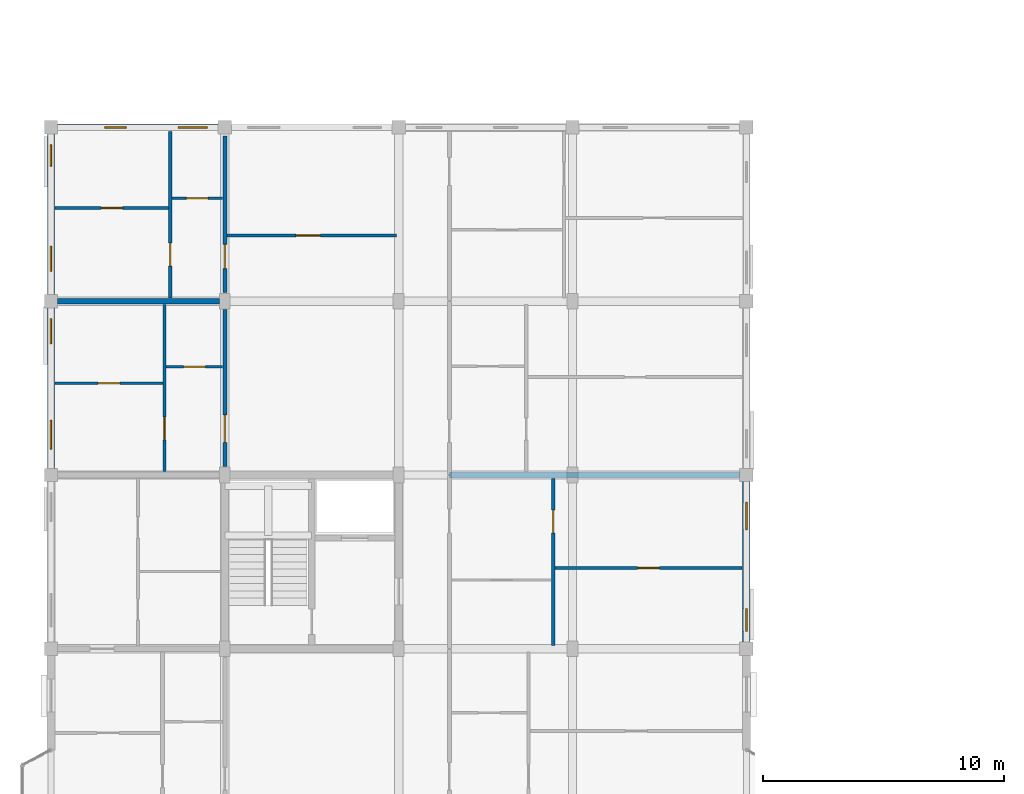
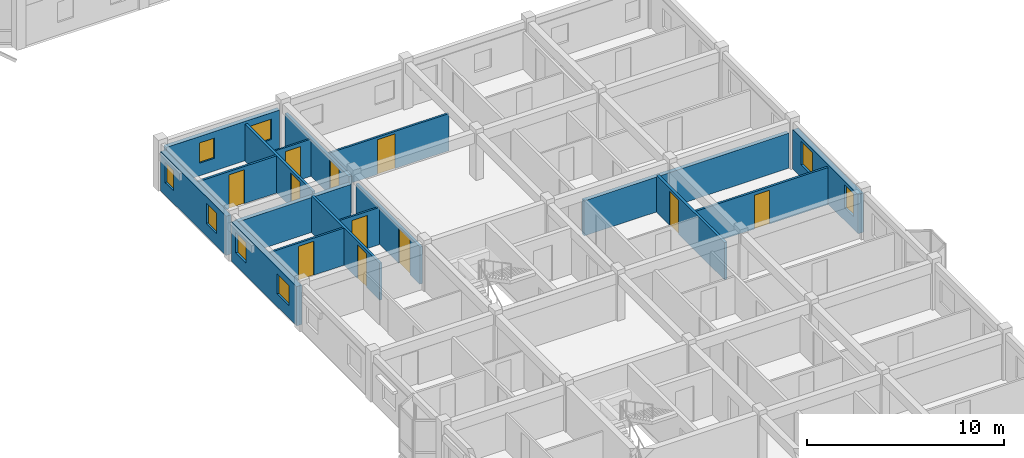
# One storey, part 53 of 77: 17 walls, 11 doors, 8 windows, 19 openings.
"""IFC4 building model written with IfcOpenShell, lengths in metres."""

from ifc_helpers import new_model, si_unit, direction, frame, frame_2d, origin, place, context, subcontext, project, spatial, rectangle, extrude, material, layer, layer_set, type_object, element, fill, save


model = new_model("IFC4")

# Units and contexts
model_context = context("Model", 3, precision=1e-05, world=origin(), true_north=direction((0.0, 1.0)))
body_context = subcontext(model_context, "Body", "Model", "MODEL_VIEW")
ifc_project = project(units=[si_unit("LENGTHUNIT", "METRE"), si_unit("AREAUNIT", "SQUARE_METRE"), si_unit("VOLUMEUNIT", "CUBIC_METRE"), si_unit("PLANEANGLEUNIT", "RADIAN"), si_unit("MASSUNIT", "GRAM", prefix="KILO"), si_unit("THERMODYNAMICTEMPERATUREUNIT", "KELVIN"), si_unit("POWERUNIT", "WATT")], contexts=[model_context])

# Site, building, storey
site_placement = place(None, origin())
site = spatial("IfcSite", under=ifc_project, at=site_placement, CompositionType="ELEMENT")
building_placement = place(site_placement, origin())
building = spatial("IfcBuilding", under=site, at=building_placement, Name="Tavuni Mirador Residences", CompositionType="ELEMENT")
storey_placement = place(building_placement, frame((0.0, 0.0, 17.10009765625)))
storey = spatial("IfcBuildingStorey", under=building, at=storey_placement, Name="L05", CompositionType="ELEMENT", Elevation=17.10009765625)

# Wall, opening, door
ifc_material_1 = material(Name="Precast concrete C40/50", Category="concrete")
ifc_layer_1 = layer(ifc_material_1, 0.1650390625, Name="Precast concrete C40/50", Category="concrete")
ifc_layer_set_1 = layer_set([ifc_layer_1], Name="Precast concrete C40/50")
wall_type_1 = type_object("IfcWallType", Name="WT-CORR165", PredefinedType="PARTITIONING", material=ifc_layer_set_1)
wall_1_placement = place(storey_placement, frame((10.800048828125, 36.35009765625, 0.0), z_axis=(0.0, 0.0, 1.0), x_axis=(0.0, 1.0, 0.0)))
wall_1 = element("IfcWall", 1, at=wall_1_placement, inside=storey, type_object=wall_type_1, Name="CORW-BLK-A-L05-1-04", PredefinedType="PARTITIONING", context=body_context, shape_type="SweptSolid", body=[
    extrude(rectangle(XDim=6.5, YDim=0.1650390625, at=frame_2d((3.25, 0.0))), origin(), (0.0, 0.0, 1.0), 2.304931640625),
])
opening_1_placement = place(wall_1_placement, frame((1.0, 0.0, 0.0)))
opening_1 = element("IfcOpeningElement", 2, at=opening_1_placement, cuts=wall_1, Name="Opening D-20", PredefinedType="OPENING", context=body_context, shape_type="SweptSolid", body=[
    extrude(rectangle(XDim=1.139892578125, YDim=2.179931640625, at=frame_2d((0.56982421875, 1.08984375))), frame((0.0, 0.092529296875, 0.0), z_axis=(0.0, -1.0, 0.0), x_axis=(1.0, 0.0, 0.0)), (0.0, 0.0, 1.0), 0.18505859375),
])
ifc_material_2 = material(Name="Solid core iroko timber", Category="wood")
door_type_1 = type_object("IfcDoorType", Name="DT-FD60-1140", OperationType="NOTDEFINED", PredefinedType="DOOR", material=ifc_material_2)
door_1_placement = place(opening_1_placement, origin())
door_1 = element("IfcDoor", 3, at=door_1_placement, inside=storey, type_object=door_type_1, Name="DR-2441", OperationType="SINGLE_SWING_RIGHT", OverallHeight=2.179931640625, OverallWidth=1.139892578125, PredefinedType="DOOR", context=body_context, shape_type="SweptSolid", body=[
    extrude(rectangle(XDim=1.139892578125, YDim=2.179931640625, at=frame_2d((0.56982421875, 1.08984375))), frame((0.0, 0.02490234375, 0.0), z_axis=(0.0, -1.0, 0.0), x_axis=(1.0, 0.0, 0.0)), (0.0, 0.0, 1.0), 0.050048828125),
])
fill(opening_1, door_1)

wall_2_placement = place(storey_placement, frame((10.800048828125, 43.550048828125, 0.0), z_axis=(0.0, 0.0, 1.0), x_axis=(0.0, 1.0, 0.0)))
wall_2 = element("IfcWall", 4, at=wall_2_placement, inside=storey, type_object=wall_type_1, Name="CORW-BLK-A-L05-1-05", PredefinedType="PARTITIONING", context=body_context, shape_type="SweptSolid", body=[
    extrude(rectangle(XDim=6.5, YDim=0.1650390625, at=frame_2d((3.25, 0.0))), origin(), (0.0, 0.0, 1.0), 2.304931640625),
])
opening_2_placement = place(wall_2_placement, frame((1.0, 0.0, 0.0)))
opening_2 = element("IfcOpeningElement", 5, at=opening_2_placement, cuts=wall_2, Name="Opening D-03", PredefinedType="OPENING", context=body_context, shape_type="SweptSolid", body=[
    extrude(rectangle(XDim=1.0, YDim=2.14990234375, at=frame_2d((0.5, 1.074951171875))), frame((0.0, 0.092529296875, 0.0), z_axis=(0.0, -1.0, 0.0), x_axis=(1.0, 0.0, 0.0)), (0.0, 0.0, 1.0), 0.18505859375),
])
door_type_2 = type_object("IfcDoorType", Name="DT-FD60-1000", OperationType="NOTDEFINED", PredefinedType="DOOR", material=ifc_material_2)
door_2_placement = place(opening_2_placement, origin())
door_2 = element("IfcDoor", 6, at=door_2_placement, inside=storey, type_object=door_type_2, Name="DR-2442", OperationType="SINGLE_SWING_LEFT", OverallHeight=2.14990234375, OverallWidth=1.0, PredefinedType="DOOR", context=body_context, shape_type="SweptSolid", body=[
    extrude(rectangle(XDim=1.0, YDim=2.14990234375, at=frame_2d((0.5, 1.074951171875))), frame((0.0, 0.02490234375, 0.0), z_axis=(0.0, -1.0, 0.0), x_axis=(1.0, 0.0, 0.0)), (0.0, 0.0, 1.0), 0.050048828125),
])
fill(opening_2, door_2)

# Wall, openings, windows
ifc_material_3 = material(Name="Sgraffito lime-rendered precast concrete C40/50", Category="concrete")
ifc_layer_2 = layer(ifc_material_3, 0.2548828125, Name="Sgraffito lime-rendered precast concrete C40/50", Category="concrete")
ifc_layer_set_2 = layer_set([ifc_layer_2], Name="Sgraffito lime-rendered precast concrete C40/50")
wall_type_2 = type_object("IfcWallType", Name="WT-EXT-PC255", PredefinedType="SOLIDWALL", material=ifc_layer_set_2)
wall_3_placement = place(storey_placement, frame((10.52490234375, 50.39990234375, 0.0), z_axis=(0.0, 0.0, 1.0), x_axis=(-1.0, 0.0, 0.0)))
wall_3 = element("IfcWall", 7, at=wall_3_placement, inside=storey, type_object=wall_type_2, Name="EW-BLK-A-L05-N00", PredefinedType="SOLIDWALL", context=body_context, shape_type="SweptSolid", body=[
    extrude(rectangle(XDim=6.64990234375, YDim=0.2548828125, at=frame_2d((3.324951171875, 0.0))), origin(), (0.0, 0.0, 1.0), 2.43994140625),
])
opening_3_placement = place(wall_3_placement, frame((0.46240234375, 0.0, 0.780029296875)))
opening_3 = element("IfcOpeningElement", 8, at=opening_3_placement, cuts=wall_3, Name="Opening WN-13", PredefinedType="OPENING", context=body_context, shape_type="SweptSolid", body=[
    extrude(rectangle(XDim=1.199951171875, YDim=1.260009765625, at=frame_2d((0.60009765625, 0.6298828125))), frame((0.0, 0.137451171875, 0.0), z_axis=(0.0, -1.0, 0.0), x_axis=(1.0, 0.0, 0.0)), (0.0, 0.0, 1.0), 0.27490234375),
])
opening_4_placement = place(wall_3_placement, frame((3.8076171875, 0.0, 0.780029296875)))
opening_4 = element("IfcOpeningElement", 9, at=opening_4_placement, cuts=wall_3, Name="Opening WN-09", PredefinedType="OPENING", context=body_context, shape_type="SweptSolid", body=[
    extrude(rectangle(XDim=0.8798828125, YDim=1.260009765625, at=frame_2d((0.43994140625, 0.6298828125))), frame((0.0, 0.137451171875, 0.0), z_axis=(0.0, -1.0, 0.0), x_axis=(1.0, 0.0, 0.0)), (0.0, 0.0, 1.0), 0.27490234375),
])
ifc_material_4 = material(Name="Laminated solar-control glass", Category="glass")
window_type_1 = type_object("IfcWindowType", Name="WNT-09", PartitioningType="SINGLE_PANEL", PredefinedType="WINDOW", material=ifc_material_4)
window_1_placement = place(opening_4_placement, origin())
window_1 = element("IfcWindow", 10, at=window_1_placement, inside=storey, type_object=window_type_1, Name="WIN-0212", OverallHeight=1.260009765625, OverallWidth=0.8798828125, PartitioningType="SINGLE_PANEL", PredefinedType="WINDOW", context=body_context, shape_type="SweptSolid", body=[
    extrude(rectangle(XDim=0.8798828125, YDim=1.260009765625, at=frame_2d((0.43994140625, 0.6298828125))), frame((0.0, 0.030029296875, 0.0), z_axis=(0.0, -1.0, 0.0), x_axis=(1.0, 0.0, 0.0)), (0.0, 0.0, 1.0), 0.06005859375),
])
fill(opening_4, window_1)
window_type_2 = type_object("IfcWindowType", Name="WNT-13", PartitioningType="SINGLE_PANEL", PredefinedType="WINDOW", material=ifc_material_4)
window_2_placement = place(opening_3_placement, origin())
window_2 = element("IfcWindow", 11, at=window_2_placement, inside=storey, type_object=window_type_2, Name="WIN-0211", OverallHeight=1.260009765625, OverallWidth=1.199951171875, PartitioningType="SINGLE_PANEL", PredefinedType="WINDOW", context=body_context, shape_type="SweptSolid", body=[
    extrude(rectangle(XDim=1.199951171875, YDim=1.260009765625, at=frame_2d((0.60009765625, 0.6298828125))), frame((0.0, 0.030029296875, 0.0), z_axis=(0.0, -1.0, 0.0), x_axis=(1.0, 0.0, 0.0)), (0.0, 0.0, 1.0), 0.06005859375),
])
fill(opening_3, window_2)

ifc_layer_3 = layer(ifc_material_3, 0.2900390625, Name="Sgraffito lime-rendered precast concrete C40/50", Category="concrete")
ifc_layer_set_3 = layer_set([ifc_layer_3], Name="Sgraffito lime-rendered precast concrete C40/50")
wall_type_3 = type_object("IfcWallType", Name="WT-EXT-PC290", PredefinedType="SOLIDWALL", material=ifc_layer_set_3)
wall_4_placement = place(storey_placement, frame((3.60009765625, 50.125, 0.0), z_axis=(0.0, 0.0, 1.0), x_axis=(0.0, -1.0, 0.0)))
wall_4 = element("IfcWall", 12, at=wall_4_placement, inside=storey, type_object=wall_type_3, Name="EW-BLK-A-L05-W05", PredefinedType="SOLIDWALL", context=body_context, shape_type="SweptSolid", body=[
    extrude(rectangle(XDim=6.64990234375, YDim=0.2900390625, at=frame_2d((3.324951171875, 0.0))), origin(), (0.0, 0.0, 1.0), 2.43994140625),
])
opening_5_placement = place(wall_4_placement, frame((0.449951171875, 0.0, 0.780029296875)))
opening_5 = element("IfcOpeningElement", 13, at=opening_5_placement, cuts=wall_4, Name="Opening WN-09", PredefinedType="OPENING", context=body_context, shape_type="SweptSolid", body=[
    extrude(rectangle(XDim=0.8798828125, YDim=1.260009765625, at=frame_2d((0.43994140625, 0.6298828125))), frame((0.0, 0.155029296875, 0.0), z_axis=(0.0, -1.0, 0.0), x_axis=(1.0, 0.0, 0.0)), (0.0, 0.0, 1.0), 0.31005859375),
])
opening_6_placement = place(wall_4_placement, frame((4.64990234375, 0.0, 0.780029296875)))
opening_6 = element("IfcOpeningElement", 14, at=opening_6_placement, cuts=wall_4, Name="Opening WN-11", PredefinedType="OPENING", context=body_context, shape_type="SweptSolid", body=[
    extrude(rectangle(XDim=1.0400390625, YDim=1.260009765625, at=frame_2d((0.52001953125, 0.6298828125))), frame((0.0, 0.155029296875, 0.0), z_axis=(0.0, -1.0, 0.0), x_axis=(1.0, 0.0, 0.0)), (0.0, 0.0, 1.0), 0.31005859375),
])
window_3_placement = place(opening_5_placement, origin())
window_3 = element("IfcWindow", 15, at=window_3_placement, inside=storey, type_object=window_type_1, Name="WIN-0213", OverallHeight=1.260009765625, OverallWidth=0.8798828125, PartitioningType="SINGLE_PANEL", PredefinedType="WINDOW", context=body_context, shape_type="SweptSolid", body=[
    extrude(rectangle(XDim=0.8798828125, YDim=1.260009765625, at=frame_2d((0.43994140625, 0.6298828125))), frame((0.0, 0.030029296875, 0.0), z_axis=(0.0, -1.0, 0.0), x_axis=(1.0, 0.0, 0.0)), (0.0, 0.0, 1.0), 0.06005859375),
])
fill(opening_5, window_3)
window_type_3 = type_object("IfcWindowType", Name="WNT-11", PartitioningType="SINGLE_PANEL", PredefinedType="WINDOW", material=ifc_material_4)
window_4_placement = place(opening_6_placement, origin())
window_4 = element("IfcWindow", 16, at=window_4_placement, inside=storey, type_object=window_type_3, Name="WIN-0214", OverallHeight=1.260009765625, OverallWidth=1.0400390625, PartitioningType="SINGLE_PANEL", PredefinedType="WINDOW", context=body_context, shape_type="SweptSolid", body=[
    extrude(rectangle(XDim=1.0400390625, YDim=1.260009765625, at=frame_2d((0.52001953125, 0.6298828125))), frame((0.0, 0.030029296875, 0.0), z_axis=(0.0, -1.0, 0.0), x_axis=(1.0, 0.0, 0.0)), (0.0, 0.0, 1.0), 0.06005859375),
])
fill(opening_6, window_4)

ifc_layer_4 = layer(ifc_material_3, 0.304931640625, Name="Sgraffito lime-rendered precast concrete C40/50", Category="concrete")
ifc_layer_set_4 = layer_set([ifc_layer_4], Name="Sgraffito lime-rendered precast concrete C40/50")
wall_type_4 = type_object("IfcWallType", Name="WT-EXT-PC305", PredefinedType="SOLIDWALL", material=ifc_layer_set_4)
wall_5_placement = place(storey_placement, frame((3.60009765625, 42.925048828125, 0.0), z_axis=(0.0, 0.0, 1.0), x_axis=(0.0, -1.0, 0.0)))
wall_5 = element("IfcWall", 17, at=wall_5_placement, inside=storey, type_object=wall_type_4, Name="EW-BLK-A-L05-W04", PredefinedType="SOLIDWALL", context=body_context, shape_type="SweptSolid", body=[
    extrude(rectangle(XDim=6.650146484375, YDim=0.304931640625, at=frame_2d((3.3251953125, 0.0))), origin(), (0.0, 0.0, 1.0), 2.43994140625),
])
opening_7_placement = place(wall_5_placement, frame((0.449951171875, 0.0, 0.780029296875)))
opening_7 = element("IfcOpeningElement", 18, at=opening_7_placement, cuts=wall_5, Name="Opening WN-11", PredefinedType="OPENING", context=body_context, shape_type="SweptSolid", body=[
    extrude(rectangle(XDim=1.0400390625, YDim=1.260009765625, at=frame_2d((0.52001953125, 0.6298828125))), frame((0.0, 0.16259765625, 0.0), z_axis=(0.0, -1.0, 0.0), x_axis=(1.0, 0.0, 0.0)), (0.0, 0.0, 1.0), 0.324951171875),
])
opening_8_placement = place(wall_5_placement, frame((4.64990234375, 0.0, 0.780029296875)))
opening_8 = element("IfcOpeningElement", 19, at=opening_8_placement, cuts=wall_5, Name="Opening WN-13", PredefinedType="OPENING", context=body_context, shape_type="SweptSolid", body=[
    extrude(rectangle(XDim=1.199951171875, YDim=1.260009765625, at=frame_2d((0.60009765625, 0.6298828125))), frame((0.0, 0.16259765625, 0.0), z_axis=(0.0, -1.0, 0.0), x_axis=(1.0, 0.0, 0.0)), (0.0, 0.0, 1.0), 0.324951171875),
])
window_5_placement = place(opening_7_placement, origin())
window_5 = element("IfcWindow", 20, at=window_5_placement, inside=storey, type_object=window_type_3, Name="WIN-0215", OverallHeight=1.260009765625, OverallWidth=1.0400390625, PartitioningType="SINGLE_PANEL", PredefinedType="WINDOW", context=body_context, shape_type="SweptSolid", body=[
    extrude(rectangle(XDim=1.0400390625, YDim=1.260009765625, at=frame_2d((0.52001953125, 0.6298828125))), frame((0.0, 0.030029296875, 0.0), z_axis=(0.0, -1.0, 0.0), x_axis=(1.0, 0.0, 0.0)), (0.0, 0.0, 1.0), 0.06005859375),
])
fill(opening_7, window_5)
window_6_placement = place(opening_8_placement, origin())
window_6 = element("IfcWindow", 21, at=window_6_placement, inside=storey, type_object=window_type_2, Name="WIN-0216", OverallHeight=1.260009765625, OverallWidth=1.199951171875, PartitioningType="SINGLE_PANEL", PredefinedType="WINDOW", context=body_context, shape_type="SweptSolid", body=[
    extrude(rectangle(XDim=1.199951171875, YDim=1.260009765625, at=frame_2d((0.60009765625, 0.6298828125))), frame((0.0, 0.030029296875, 0.0), z_axis=(0.0, -1.0, 0.0), x_axis=(1.0, 0.0, 0.0)), (0.0, 0.0, 1.0), 0.06005859375),
])
fill(opening_8, window_6)

ifc_layer_5 = layer(ifc_material_3, 0.31494140625, Name="Sgraffito lime-rendered precast concrete C40/50", Category="concrete")
ifc_layer_set_5 = layer_set([ifc_layer_5], Name="Sgraffito lime-rendered precast concrete C40/50")
wall_type_5 = type_object("IfcWallType", Name="WT-EXT-PC315", PredefinedType="SOLIDWALL", material=ifc_layer_set_5)
wall_6_placement = place(storey_placement, frame((32.39990234375, 29.074951171875, 0.0), z_axis=(0.0, 0.0, 1.0), x_axis=(0.0, 1.0, 0.0)))
wall_6 = element("IfcWall", 22, at=wall_6_placement, inside=storey, type_object=wall_type_5, Name="EW-BLK-A-L05-E03", PredefinedType="SOLIDWALL", context=body_context, shape_type="SweptSolid", body=[
    extrude(rectangle(XDim=6.650146484375, YDim=0.31494140625, at=frame_2d((3.3251953125, 0.0))), origin(), (0.0, 0.0, 1.0), 2.43994140625),
])
opening_9_placement = place(wall_6_placement, frame((0.449951171875, 0.0, 0.780029296875)))
opening_9 = element("IfcOpeningElement", 23, at=opening_9_placement, cuts=wall_6, Name="Opening WN-25", PredefinedType="OPENING", context=body_context, shape_type="SweptSolid", body=[
    extrude(rectangle(XDim=0.93994140625, YDim=1.43994140625, at=frame_2d((0.469970703125, 0.719970703125))), frame((0.0, 0.16748046875, 0.0), z_axis=(0.0, -1.0, 0.0), x_axis=(1.0, 0.0, 0.0)), (0.0, 0.0, 1.0), 0.3349609375),
])
opening_10_placement = place(wall_6_placement, frame((4.64990234375, 0.0, 0.780029296875)))
opening_10 = element("IfcOpeningElement", 24, at=opening_10_placement, cuts=wall_6, Name="Opening WN-27", PredefinedType="OPENING", context=body_context, shape_type="SweptSolid", body=[
    extrude(rectangle(XDim=1.14990234375, YDim=1.43994140625, at=frame_2d((0.574951171875, 0.719970703125))), frame((0.0, 0.16748046875, 0.0), z_axis=(0.0, -1.0, 0.0), x_axis=(1.0, 0.0, 0.0)), (0.0, 0.0, 1.0), 0.3349609375),
])
window_type_4 = type_object("IfcWindowType", Name="WNT-25", PartitioningType="SINGLE_PANEL", PredefinedType="WINDOW", material=ifc_material_4)
window_7_placement = place(opening_9_placement, origin())
window_7 = element("IfcWindow", 25, at=window_7_placement, inside=storey, type_object=window_type_4, Name="WIN-0199", OverallHeight=1.43994140625, OverallWidth=0.93994140625, PartitioningType="SINGLE_PANEL", PredefinedType="WINDOW", context=body_context, shape_type="SweptSolid", body=[
    extrude(rectangle(XDim=0.93994140625, YDim=1.43994140625, at=frame_2d((0.469970703125, 0.719970703125))), frame((0.0, 0.030029296875, 0.0), z_axis=(0.0, -1.0, 0.0), x_axis=(1.0, 0.0, 0.0)), (0.0, 0.0, 1.0), 0.06005859375),
])
fill(opening_9, window_7)
window_type_5 = type_object("IfcWindowType", Name="WNT-27", PartitioningType="SINGLE_PANEL", PredefinedType="WINDOW", material=ifc_material_4)
window_8_placement = place(opening_10_placement, origin())
window_8 = element("IfcWindow", 26, at=window_8_placement, inside=storey, type_object=window_type_5, Name="WIN-0200", OverallHeight=1.43994140625, OverallWidth=1.14990234375, PartitioningType="SINGLE_PANEL", PredefinedType="WINDOW", context=body_context, shape_type="SweptSolid", body=[
    extrude(rectangle(XDim=1.14990234375, YDim=1.43994140625, at=frame_2d((0.574951171875, 0.719970703125))), frame((0.0, 0.030029296875, 0.0), z_axis=(0.0, -1.0, 0.0), x_axis=(1.0, 0.0, 0.0)), (0.0, 0.0, 1.0), 0.06005859375),
])
fill(opening_10, window_8)

# Wall, opening, door
ifc_material_5 = material(Name="Acoustic gypsum and concrete block partition", Category="concrete")
ifc_layer_6 = layer(ifc_material_5, 0.094970703125, Name="Acoustic gypsum and concrete block partition", Category="concrete")
ifc_layer_set_6 = layer_set([ifc_layer_6], Name="Acoustic gypsum and concrete block partition")
wall_type_6 = type_object("IfcWallType", Name="WT-PART095", PredefinedType="PARTITIONING", material=ifc_layer_set_6)
wall_7_placement = place(storey_placement, frame((8.610107421875, 47.4599609375, 0.0), z_axis=(0.0, 0.0, 1.0), x_axis=(1.0, 0.0, 0.0)))
wall_7 = element("IfcWall", 27, at=wall_7_placement, inside=storey, type_object=wall_type_6, Name="PW-BLK-A-L05-W05-IN1", PredefinedType="PARTITIONING", context=body_context, shape_type="SweptSolid", body=[
    extrude(rectangle(XDim=2.099853515625, YDim=0.094970703125, at=frame_2d((1.0498046875, 0.0))), origin(), (0.0, 0.0, 1.0), 2.304931640625),
])
opening_11_placement = place(wall_7_placement, frame((0.60009765625, 0.0, 0.0)))
opening_11 = element("IfcOpeningElement", 28, at=opening_11_placement, cuts=wall_7, Name="Opening D-09", PredefinedType="OPENING", context=body_context, shape_type="SweptSolid", body=[
    extrude(rectangle(XDim=0.89990234375, YDim=2.050048828125, at=frame_2d((0.449951171875, 1.02490234375))), frame((0.0, 0.0576171875, 0.0), z_axis=(0.0, -1.0, 0.0), x_axis=(1.0, 0.0, 0.0)), (0.0, 0.0, 1.0), 0.114990234375),
])
door_type_3 = type_object("IfcDoorType", Name="DT-WC900", OperationType="NOTDEFINED", PredefinedType="DOOR", material=ifc_material_2)
door_3_placement = place(opening_11_placement, origin())
door_3 = element("IfcDoor", 29, at=door_3_placement, inside=storey, type_object=door_type_3, Name="DR-3129", OperationType="SINGLE_SWING_RIGHT", OverallHeight=2.050048828125, OverallWidth=0.89990234375, PredefinedType="DOOR", context=body_context, shape_type="SweptSolid", body=[
    extrude(rectangle(XDim=0.89990234375, YDim=2.050048828125, at=frame_2d((0.449951171875, 1.02490234375))), frame((0.0, 0.02490234375, 0.0), z_axis=(0.0, -1.0, 0.0), x_axis=(1.0, 0.0, 0.0)), (0.0, 0.0, 1.0), 0.050048828125),
])
fill(opening_11, door_3)

ifc_layer_7 = layer(ifc_material_5, 0.10498046875, Name="Acoustic gypsum and concrete block partition", Category="concrete")
ifc_layer_set_7 = layer_set([ifc_layer_7], Name="Acoustic gypsum and concrete block partition")
wall_type_7 = type_object("IfcWallType", Name="WT-PART105", PredefinedType="PARTITIONING", material=ifc_layer_set_7)
wall_8_placement = place(storey_placement, frame((8.3701171875, 40.47998046875, 0.0), z_axis=(0.0, 0.0, 1.0), x_axis=(1.0, 0.0, 0.0)))
wall_8 = element("IfcWall", 30, at=wall_8_placement, inside=storey, type_object=wall_type_7, Name="PW-BLK-A-L05-W04-IN1", PredefinedType="PARTITIONING", context=body_context, shape_type="SweptSolid", body=[
    extrude(rectangle(XDim=2.33984375, YDim=0.10498046875, at=frame_2d((1.169921875, 0.0))), origin(), (0.0, 0.0, 1.0), 2.304931640625),
])
opening_12_placement = place(wall_8_placement, frame((0.719970703125, 0.0, 0.0)))
opening_12 = element("IfcOpeningElement", 31, at=opening_12_placement, cuts=wall_8, Name="Opening D-09", PredefinedType="OPENING", context=body_context, shape_type="SweptSolid", body=[
    extrude(rectangle(XDim=0.89990234375, YDim=2.050048828125, at=frame_2d((0.449951171875, 1.02490234375))), frame((0.0, 0.0625, 0.0), z_axis=(0.0, -1.0, 0.0), x_axis=(1.0, 0.0, 0.0)), (0.0, 0.0, 1.0), 0.125),
])
door_4_placement = place(opening_12_placement, origin())
door_4 = element("IfcDoor", 32, at=door_4_placement, inside=storey, type_object=door_type_3, Name="DR-3122", OperationType="SINGLE_SWING_RIGHT", OverallHeight=2.050048828125, OverallWidth=0.89990234375, PredefinedType="DOOR", context=body_context, shape_type="SweptSolid", body=[
    extrude(rectangle(XDim=0.89990234375, YDim=2.050048828125, at=frame_2d((0.449951171875, 1.02490234375))), frame((0.0, 0.02490234375, 0.0), z_axis=(0.0, -1.0, 0.0), x_axis=(1.0, 0.0, 0.0)), (0.0, 0.0, 1.0), 0.050048828125),
])
fill(opening_12, door_4)

ifc_layer_8 = layer(ifc_material_5, 0.114990234375, Name="Acoustic gypsum and concrete block partition", Category="concrete")
ifc_layer_set_8 = layer_set([ifc_layer_8], Name="Acoustic gypsum and concrete block partition")
wall_type_8 = type_object("IfcWallType", Name="WT-PART115", PredefinedType="PARTITIONING", material=ifc_layer_set_8)
wall_9_placement = place(storey_placement, frame((3.77490234375, 39.800048828125, 0.0), z_axis=(0.0, 0.0, 1.0), x_axis=(1.0, 0.0, 0.0)))
wall_9 = element("IfcWall", 33, at=wall_9_placement, inside=storey, type_object=wall_type_8, Name="PW-BLK-A-L05-W04-OUT", PredefinedType="PARTITIONING", context=body_context, shape_type="SweptSolid", body=[
    extrude(rectangle(XDim=4.455078125, YDim=0.114990234375, at=frame_2d((2.2275390625, 0.0))), origin(), (0.0, 0.0, 1.0), 2.304931640625),
])
opening_13_placement = place(wall_9_placement, frame((1.777587890625, 0.0, 0.0)))
opening_13 = element("IfcOpeningElement", 34, at=opening_13_placement, cuts=wall_9, Name="Opening D-07", PredefinedType="OPENING", context=body_context, shape_type="SweptSolid", body=[
    extrude(rectangle(XDim=0.89990234375, YDim=2.10009765625, at=frame_2d((0.449951171875, 1.050048828125))), frame((0.0, 0.0673828125, 0.0), z_axis=(0.0, -1.0, 0.0), x_axis=(1.0, 0.0, 0.0)), (0.0, 0.0, 1.0), 0.135009765625),
])
door_type_4 = type_object("IfcDoorType", Name="DT-BED900", OperationType="NOTDEFINED", PredefinedType="DOOR", material=ifc_material_2)
door_5_placement = place(opening_13_placement, origin())
door_5 = element("IfcDoor", 35, at=door_5_placement, inside=storey, type_object=door_type_4, Name="DR-3121", OperationType="SINGLE_SWING_LEFT", OverallHeight=2.10009765625, OverallWidth=0.89990234375, PredefinedType="DOOR", context=body_context, shape_type="SweptSolid", body=[
    extrude(rectangle(XDim=0.89990234375, YDim=2.10009765625, at=frame_2d((0.449951171875, 1.050048828125))), frame((0.0, 0.02490234375, 0.0), z_axis=(0.0, -1.0, 0.0), x_axis=(1.0, 0.0, 0.0)), (0.0, 0.0, 1.0), 0.050048828125),
])
fill(opening_13, door_5)

wall_10_placement = place(storey_placement, frame((10.889892578125, 45.919921875, 0.0), z_axis=(0.0, 0.0, 1.0), x_axis=(1.0, 0.0, 0.0)))
wall_10 = element("IfcWall", 36, at=wall_10_placement, inside=storey, type_object=wall_type_8, Name="PW-SPN-BLK-A-L05-05", PredefinedType="PARTITIONING", context=body_context, shape_type="SweptSolid", body=[
    extrude(rectangle(XDim=7.02001953125, YDim=0.114990234375, at=frame_2d((3.510009765625, 0.0))), origin(), (0.0, 0.0, 1.0), 2.304931640625),
])
opening_14_placement = place(wall_10_placement, frame((2.85009765625, 0.0, 0.0)))
opening_14 = element("IfcOpeningElement", 37, at=opening_14_placement, cuts=wall_10, Name="Opening D-13", PredefinedType="OPENING", context=body_context, shape_type="SweptSolid", body=[
    extrude(rectangle(XDim=1.02001953125, YDim=2.14990234375, at=frame_2d((0.510009765625, 1.074951171875))), frame((0.0, 0.0673828125, 0.0), z_axis=(0.0, -1.0, 0.0), x_axis=(1.0, 0.0, 0.0)), (0.0, 0.0, 1.0), 0.135009765625),
])
door_type_5 = type_object("IfcDoorType", Name="DT-MTG1020", OperationType="NOTDEFINED", PredefinedType="DOOR", material=ifc_material_2)
door_6_placement = place(opening_14_placement, origin())
door_6 = element("IfcDoor", 38, at=door_6_placement, inside=storey, type_object=door_type_5, Name="DR-3127", OperationType="SINGLE_SWING_LEFT", OverallHeight=2.14990234375, OverallWidth=1.02001953125, PredefinedType="DOOR", context=body_context, shape_type="SweptSolid", body=[
    extrude(rectangle(XDim=1.02001953125, YDim=2.14990234375, at=frame_2d((0.510009765625, 1.074951171875))), frame((0.0, 0.02490234375, 0.0), z_axis=(0.0, -1.0, 0.0), x_axis=(1.0, 0.0, 0.0)), (0.0, 0.0, 1.0), 0.050048828125),
])
fill(opening_14, door_6)

ifc_layer_9 = layer(ifc_material_5, 0.125, Name="Acoustic gypsum and concrete block partition", Category="concrete")
ifc_layer_set_9 = layer_set([ifc_layer_9], Name="Acoustic gypsum and concrete block partition")
wall_type_9 = type_object("IfcWallType", Name="WT-PART125", PredefinedType="PARTITIONING", material=ifc_layer_set_9)
wall_11_placement = place(storey_placement, frame((24.469970703125, 32.14990234375, 0.0), z_axis=(0.0, 0.0, 1.0), x_axis=(1.0, 0.0, 0.0)))
wall_11 = element("IfcWall", 39, at=wall_11_placement, inside=storey, type_object=wall_type_9, Name="PW-BLK-A-L05-E03-OUT", PredefinedType="PARTITIONING", context=body_context, shape_type="SweptSolid", body=[
    extrude(rectangle(XDim=7.755126953125, YDim=0.125, at=frame_2d((3.87744140625, 0.0))), origin(), (0.0, 0.0, 1.0), 2.304931640625),
])
opening_15_placement = place(wall_11_placement, frame((3.427490234375, 0.0, 0.0)))
opening_15 = element("IfcOpeningElement", 40, at=opening_15_placement, cuts=wall_11, Name="Opening D-07", PredefinedType="OPENING", context=body_context, shape_type="SweptSolid", body=[
    extrude(rectangle(XDim=0.89990234375, YDim=2.10009765625, at=frame_2d((0.449951171875, 1.050048828125))), frame((0.0, 0.072509765625, 0.0), z_axis=(0.0, -1.0, 0.0), x_axis=(1.0, 0.0, 0.0)), (0.0, 0.0, 1.0), 0.14501953125),
])
door_7_placement = place(opening_15_placement, origin())
door_7 = element("IfcDoor", 41, at=door_7_placement, inside=storey, type_object=door_type_4, Name="DR-3118", OperationType="SINGLE_SWING_LEFT", OverallHeight=2.10009765625, OverallWidth=0.89990234375, PredefinedType="DOOR", context=body_context, shape_type="SweptSolid", body=[
    extrude(rectangle(XDim=0.89990234375, YDim=2.10009765625, at=frame_2d((0.449951171875, 1.050048828125))), frame((0.0, 0.02490234375, 0.0), z_axis=(0.0, -1.0, 0.0), x_axis=(1.0, 0.0, 0.0)), (0.0, 0.0, 1.0), 0.050048828125),
])
fill(opening_15, door_7)

wall_12_placement = place(storey_placement, frame((3.77490234375, 47.06005859375, 0.0), z_axis=(0.0, 0.0, 1.0), x_axis=(1.0, 0.0, 0.0)))
wall_12 = element("IfcWall", 42, at=wall_12_placement, inside=storey, type_object=wall_type_9, Name="PW-BLK-A-L05-W05-OUT", PredefinedType="PARTITIONING", context=body_context, shape_type="SweptSolid", body=[
    extrude(rectangle(XDim=4.695068359375, YDim=0.125, at=frame_2d((2.34765625, 0.0))), origin(), (0.0, 0.0, 1.0), 2.304931640625),
])
opening_16_placement = place(wall_12_placement, frame((1.8974609375, 0.0, 0.0)))
opening_16 = element("IfcOpeningElement", 43, at=opening_16_placement, cuts=wall_12, Name="Opening D-07", PredefinedType="OPENING", context=body_context, shape_type="SweptSolid", body=[
    extrude(rectangle(XDim=0.89990234375, YDim=2.10009765625, at=frame_2d((0.449951171875, 1.050048828125))), frame((0.0, 0.072509765625, 0.0), z_axis=(0.0, -1.0, 0.0), x_axis=(1.0, 0.0, 0.0)), (0.0, 0.0, 1.0), 0.14501953125),
])
door_8_placement = place(opening_16_placement, origin())
door_8 = element("IfcDoor", 44, at=door_8_placement, inside=storey, type_object=door_type_4, Name="DR-3128", OperationType="SINGLE_SWING_LEFT", OverallHeight=2.10009765625, OverallWidth=0.89990234375, PredefinedType="DOOR", context=body_context, shape_type="SweptSolid", body=[
    extrude(rectangle(XDim=0.89990234375, YDim=2.10009765625, at=frame_2d((0.449951171875, 1.050048828125))), frame((0.0, 0.02490234375, 0.0), z_axis=(0.0, -1.0, 0.0), x_axis=(1.0, 0.0, 0.0)), (0.0, 0.0, 1.0), 0.050048828125),
])
fill(opening_16, door_8)

ifc_layer_10 = layer(ifc_material_5, 0.139892578125, Name="Acoustic gypsum and concrete block partition", Category="concrete")
ifc_layer_set_10 = layer_set([ifc_layer_10], Name="Acoustic gypsum and concrete block partition")
wall_type_10 = type_object("IfcWallType", Name="WT-PART140", PredefinedType="PARTITIONING", material=ifc_layer_set_10)
wall_13_placement = place(storey_placement, frame((8.300048828125, 36.139892578125, 0.0), z_axis=(0.0, 0.0, 1.0), x_axis=(0.0, 1.0, 0.0)))
wall_13 = element("IfcWall", 45, at=wall_13_placement, inside=storey, type_object=wall_type_10, Name="PW-BLK-A-L05-W04-MID", PredefinedType="PARTITIONING", context=body_context, shape_type="SweptSolid", body=[
    extrude(rectangle(XDim=6.920166015625, YDim=0.139892578125, at=frame_2d((3.4599609375, 0.0))), origin(), (0.0, 0.0, 1.0), 2.304931640625),
])
opening_17_placement = place(wall_13_placement, frame((1.31005859375, 0.0, 0.0)))
opening_17 = element("IfcOpeningElement", 46, at=opening_17_placement, cuts=wall_13, Name="Opening D-05", PredefinedType="OPENING", context=body_context, shape_type="SweptSolid", body=[
    extrude(rectangle(XDim=0.949951171875, YDim=2.10009765625, at=frame_2d((0.47509765625, 1.050048828125))), frame((0.0, 0.080078125, 0.0), z_axis=(0.0, -1.0, 0.0), x_axis=(1.0, 0.0, 0.0)), (0.0, 0.0, 1.0), 0.159912109375),
])
door_type_6 = type_object("IfcDoorType", Name="DT-INT950", OperationType="NOTDEFINED", PredefinedType="DOOR", material=ifc_material_2)
door_9_placement = place(opening_17_placement, origin())
door_9 = element("IfcDoor", 47, at=door_9_placement, inside=storey, type_object=door_type_6, Name="DR-3123", OperationType="SINGLE_SWING_LEFT", OverallHeight=2.10009765625, OverallWidth=0.949951171875, PredefinedType="DOOR", context=body_context, shape_type="SweptSolid", body=[
    extrude(rectangle(XDim=0.949951171875, YDim=2.10009765625, at=frame_2d((0.47509765625, 1.050048828125))), frame((0.0, 0.02490234375, 0.0), z_axis=(0.0, -1.0, 0.0), x_axis=(1.0, 0.0, 0.0)), (0.0, 0.0, 1.0), 0.050048828125),
])
fill(opening_17, door_9)

ifc_layer_11 = layer(ifc_material_5, 0.14990234375, Name="Acoustic gypsum and concrete block partition", Category="concrete")
ifc_layer_set_11 = layer_set([ifc_layer_11], Name="Acoustic gypsum and concrete block partition")
wall_type_11 = type_object("IfcWallType", Name="WT-PART150", PredefinedType="PARTITIONING", material=ifc_layer_set_11)
wall_14_placement = place(storey_placement, frame((24.39990234375, 28.93994140625, 0.0), z_axis=(0.0, 0.0, 1.0), x_axis=(0.0, 1.0, 0.0)))
wall_14 = element("IfcWall", 48, at=wall_14_placement, inside=storey, type_object=wall_type_11, Name="PW-BLK-A-L05-E03-MID", PredefinedType="PARTITIONING", context=body_context, shape_type="SweptSolid", body=[
    extrude(rectangle(XDim=6.920166015625, YDim=0.14990234375, at=frame_2d((3.4599609375, 0.0))), origin(), (0.0, 0.0, 1.0), 2.304931640625),
])
opening_18_placement = place(wall_14_placement, frame((4.659912109375, 0.0, 0.0)))
opening_18 = element("IfcOpeningElement", 49, at=opening_18_placement, cuts=wall_14, Name="Opening D-05", PredefinedType="OPENING", context=body_context, shape_type="SweptSolid", body=[
    extrude(rectangle(XDim=0.949951171875, YDim=2.10009765625, at=frame_2d((0.47509765625, 1.050048828125))), frame((0.0, 0.0849609375, 0.0), z_axis=(0.0, -1.0, 0.0), x_axis=(1.0, 0.0, 0.0)), (0.0, 0.0, 1.0), 0.169921875),
])
door_10_placement = place(opening_18_placement, origin())
door_10 = element("IfcDoor", 50, at=door_10_placement, inside=storey, type_object=door_type_6, Name="DR-3120", OperationType="SINGLE_SWING_LEFT", OverallHeight=2.10009765625, OverallWidth=0.949951171875, PredefinedType="DOOR", context=body_context, shape_type="SweptSolid", body=[
    extrude(rectangle(XDim=0.949951171875, YDim=2.10009765625, at=frame_2d((0.47509765625, 1.050048828125))), frame((0.0, 0.02490234375, 0.0), z_axis=(0.0, -1.0, 0.0), x_axis=(1.0, 0.0, 0.0)), (0.0, 0.0, 1.0), 0.050048828125),
])
fill(opening_18, door_10)

wall_15_placement = place(storey_placement, frame((8.5400390625, 43.340087890625, 0.0), z_axis=(0.0, 0.0, 1.0), x_axis=(0.0, 1.0, 0.0)))
wall_15 = element("IfcWall", 51, at=wall_15_placement, inside=storey, type_object=wall_type_11, Name="PW-BLK-A-L05-W05-MID", PredefinedType="PARTITIONING", context=body_context, shape_type="SweptSolid", body=[
    extrude(rectangle(XDim=6.885009765625, YDim=0.14990234375, at=frame_2d((3.4423828125, 0.0))), origin(), (0.0, 0.0, 1.0), 2.304931640625),
])
opening_19_placement = place(wall_15_placement, frame((1.31005859375, 0.0, 0.0)))
opening_19 = element("IfcOpeningElement", 52, at=opening_19_placement, cuts=wall_15, Name="Opening D-05", PredefinedType="OPENING", context=body_context, shape_type="SweptSolid", body=[
    extrude(rectangle(XDim=0.949951171875, YDim=2.10009765625, at=frame_2d((0.47509765625, 1.050048828125))), frame((0.0, 0.0849609375, 0.0), z_axis=(0.0, -1.0, 0.0), x_axis=(1.0, 0.0, 0.0)), (0.0, 0.0, 1.0), 0.169921875),
])
door_11_placement = place(opening_19_placement, origin())
door_11 = element("IfcDoor", 53, at=door_11_placement, inside=storey, type_object=door_type_6, Name="DR-3130", OperationType="SINGLE_SWING_LEFT", OverallHeight=2.10009765625, OverallWidth=0.949951171875, PredefinedType="DOOR", context=body_context, shape_type="SweptSolid", body=[
    extrude(rectangle(XDim=0.949951171875, YDim=2.10009765625, at=frame_2d((0.47509765625, 1.050048828125))), frame((0.0, 0.02490234375, 0.0), z_axis=(0.0, -1.0, 0.0), x_axis=(1.0, 0.0, 0.0)), (0.0, 0.0, 1.0), 0.050048828125),
])
fill(opening_19, door_11)

# Walls
ifc_layer_12 = layer(ifc_material_1, 0.235107421875, Name="Precast concrete C40/50", Category="concrete")
ifc_layer_set_12 = layer_set([ifc_layer_12], Name="Precast concrete C40/50")
wall_type_12 = type_object("IfcWallType", Name="WT-XW235", PredefinedType="SOLIDWALL", material=ifc_layer_set_12)
wall_16_placement = place(storey_placement, frame((20.10009765625, 36.0, 0.0), z_axis=(0.0, 0.0, 1.0), x_axis=(1.0, 0.0, 0.0)))
element("IfcWall", 54, at=wall_16_placement, inside=storey, type_object=wall_type_12, Name="XW-BLK-A-L05-E-04", PredefinedType="SOLIDWALL", context=body_context, shape_type="SweptSolid", body=[
    extrude(rectangle(XDim=12.02490234375, YDim=0.235107421875, at=frame_2d((6.012451171875, 0.0))), origin(), (0.0, 0.0, 1.0), 2.169921875),
])
wall_17_placement = place(storey_placement, frame((3.875, 43.199951171875, 0.0), z_axis=(0.0, 0.0, 1.0), x_axis=(1.0, 0.0, 0.0)))
element("IfcWall", 55, at=wall_17_placement, inside=storey, type_object=wall_type_12, Name="XW-BLK-A-L05-W-05", PredefinedType="SOLIDWALL", context=body_context, shape_type="SweptSolid", body=[
    extrude(rectangle(XDim=6.699951171875, YDim=0.235107421875, at=frame_2d((3.35009765625, 0.0))), origin(), (0.0, 0.0, 1.0), 2.169921875),
])

save(model, "model.ifc")
